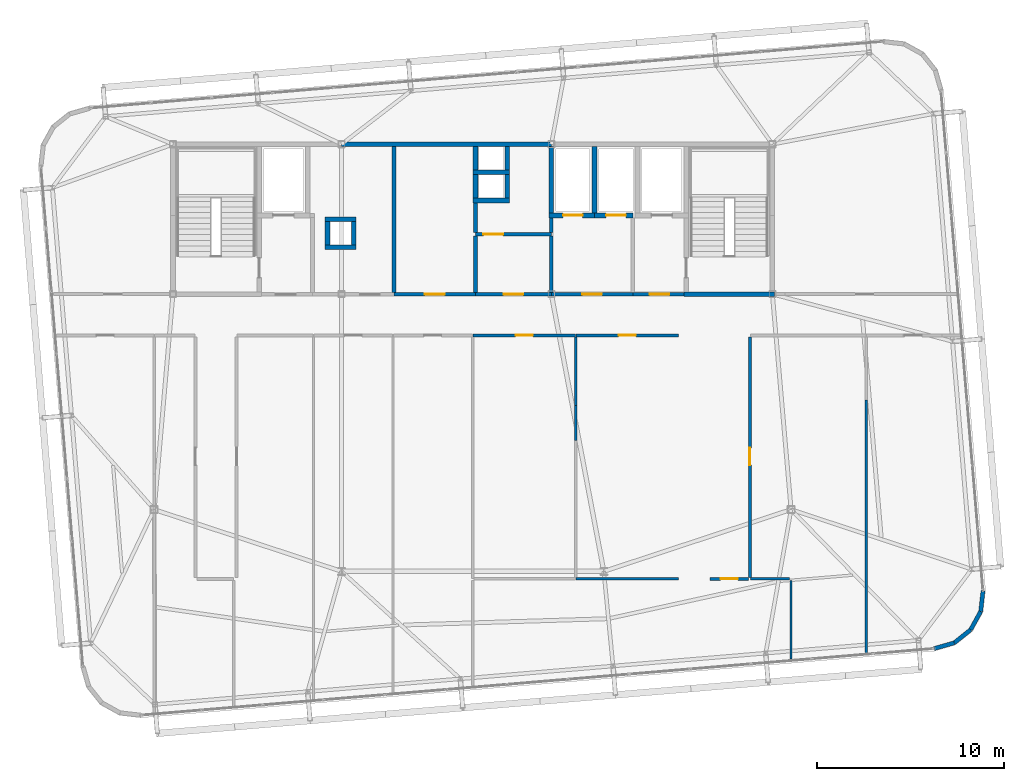
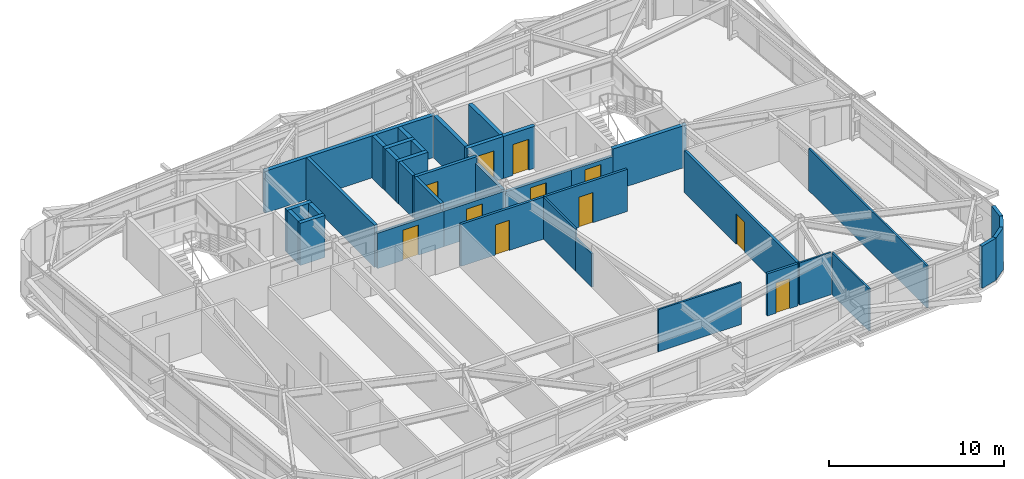
# One storey, part 43 of 46: 40 walls, 11 doors, 11 openings.
"""IFC4 building model written with IfcOpenShell, lengths in metres."""

from ifc_helpers import new_model, si_unit, direction, frame, frame_2d, origin, place, context, subcontext, project, spatial, rectangle, extrude, source, transform, mapped, material, layer, layer_set, type_object, element, fill, save


model = new_model("IFC4")

# Units and contexts
model_context = context("Model", 3, precision=1e-05, world=origin(), true_north=direction((0.0, 1.0)))
body_context = subcontext(model_context, "Body", "Model", "MODEL_VIEW")
ifc_project = project(units=[si_unit("LENGTHUNIT", "METRE"), si_unit("AREAUNIT", "SQUARE_METRE"), si_unit("VOLUMEUNIT", "CUBIC_METRE"), si_unit("PLANEANGLEUNIT", "RADIAN"), si_unit("MASSUNIT", "GRAM", prefix="KILO")], contexts=[model_context])

# Site, building, storey
site_placement = place(None, origin())
site = spatial("IfcSite", under=ifc_project, at=site_placement, CompositionType="ELEMENT")
building_placement = place(site_placement, origin())
building = spatial("IfcBuilding", under=site, at=building_placement, Name="Taldren Reach Tower", CompositionType="ELEMENT")
storey_placement = place(building_placement, frame((0.0, 0.0, 194.60009765625)))
storey = spatial("IfcBuildingStorey", under=building, at=storey_placement, Name="L59", CompositionType="ELEMENT", Elevation=194.60009765625)

# Walls
ifc_material_1 = material(Name="Pale Champagne Anodised Aluminium Cladding", Category="aluminium")
ifc_layer_1 = layer(ifc_material_1, 0.04, Name="Pale Champagne Anodised Aluminium Cladding", Category="aluminium")
ifc_material_2 = material(Name="Mineral Wool Acoustic Insulation", Category="insulation")
ifc_layer_2 = layer(ifc_material_2, 0.06, Name="Mineral Wool Acoustic Insulation", Category="insulation")
ifc_material_3 = material(Name="Steel Gr 350 (C350L0)", Category="steel")
ifc_layer_3 = layer(ifc_material_3, 0.12, Name="Steel Gr 350 (C350L0)", Category="steel")
ifc_layer_set_1 = layer_set([ifc_layer_1, ifc_layer_2, ifc_layer_3], Name="Pale Champagne Aluminium Cladding and Steel Gr 350 Stud Framing")
wall_type_1 = type_object("IfcWallType", Name="EW-CRN-220", PredefinedType="SOLIDWALL", material=ifc_layer_set_1)
shared_shape_1 = source(origin(), body_context, "Body", "SweptSolid", [
    extrude(rectangle(XDim=1.115966796875, YDim=0.219970703125, at=frame_2d((0.55810546875, 0.0))), origin(), (0.0, 0.0, 1.0), 2.929931640625),
])
for number, where, z_axis, x_axis, name in (
    (1, (59.635986328125, 5.0751953125, 0.0), (0.0, 0.0, 1.0), (0.961010464297, 0.276512002475, 0.0), "Rounded-corner pale-metal facade wall L59-SE1"),
    (2, (60.70849609375, 5.3837890625, 0.0), (0.0, 0.0, 1.0), (0.782147847222, 0.623092886403, 0.0), "Rounded-corner pale-metal facade wall L59-SE2"),
    (3, (61.581298828125, 6.0791015625, 0.0), (0.0, 0.0, 1.0), (0.483933071672, 0.875105012065, 0.0), "Rounded-corner pale-metal facade wall L59-SE3"),
    (4, (62.121337890625, 7.0556640625, 0.0), (0.0, 0.0, 1.0), (0.112448259968, 0.993657581277, 0.0), "Rounded-corner pale-metal facade wall L59-SE4"),
):
    element("IfcWall", number, at=place(storey_placement, frame(where, z_axis=z_axis, x_axis=x_axis)), inside=storey, type_object=wall_type_1, Name=name, PredefinedType="SOLIDWALL", context=body_context, shape_type="MappedRepresentation", body=[
        mapped(shared_shape_1, transform((0.0, 0.0, 0.0), scale=1.0)),
    ])

# Wall, opening, door
ifc_material_4 = material(Name="Concrete S50 (50 MPa)", Category="concrete")
ifc_layer_4 = layer(ifc_material_4, 0.199951171875)
ifc_layer_set_2 = layer_set([ifc_layer_4], Name="Concrete S50 (50 MPa)")
wall_type_2 = type_object("IfcWallType", Name="IW-CORE-200", PredefinedType="SOLIDWALL", material=ifc_layer_set_2)
shared_shape_2 = source(origin(), body_context, "Body", "SweptSolid", [
    extrude(rectangle(XDim=4.35009765625, YDim=0.199951171875, at=frame_2d((2.175048828125, 0.0))), origin(), (0.0, 0.0, 1.0), 2.39697265625),
])
wall_1_placement = place(storey_placement, frame((43.550048828125, 24.0, 0.0), z_axis=(0.0, 0.0, 1.0), x_axis=(-1.0, 0.0, 0.0)))
wall_1 = element("IfcWall", 5, at=wall_1_placement, inside=storey, type_object=wall_type_2, Name="Rear Core Shear Wall W-INT-L59-031", PredefinedType="SOLIDWALL", context=body_context, shape_type="MappedRepresentation", body=[
    mapped(shared_shape_2, transform((0.0, 0.0, 0.0), scale=1.0)),
])
shared_shape_3 = source(origin(), body_context, "Body", "SweptSolid", [
    extrude(rectangle(XDim=1.050048828125, YDim=2.10009765625, at=frame_2d((0.52490234375, 1.050048828125))), frame((0.0, 0.10986328125, 0.0), z_axis=(0.0, -1.0, 0.0), x_axis=(1.0, 0.0, 0.0)), (0.0, 0.0, 1.0), 0.219970703125),
])
opening_1_placement = place(wall_1_placement, frame((1.64990234375, 0.0, 0.0)))
opening_1 = element("IfcOpeningElement", 6, at=opening_1_placement, cuts=wall_1, Name="Opening DF-105", PredefinedType="OPENING", context=body_context, shape_type="MappedRepresentation", body=[
    mapped(shared_shape_3, transform((0.0, 0.0, 0.0), scale=1.0)),
])
ifc_material_5 = material(Name="Fire-Rated Care and Stair Exit Door")
door_type_1 = type_object("IfcDoorType", Name="ID-FIRE-105", OperationType="NOTDEFINED", PredefinedType="DOOR", material=ifc_material_5)
shared_shape_4 = source(origin(), body_context, "Body", "SweptSolid", [
    extrude(rectangle(XDim=1.050048828125, YDim=2.10009765625, at=frame_2d((0.52490234375, 1.050048828125))), frame((0.0, 0.02490234375, 0.0), z_axis=(0.0, -1.0, 0.0), x_axis=(1.0, 0.0, 0.0)), (0.0, 0.0, 1.0), 0.050048828125),
])
door_1_placement = place(opening_1_placement, frame((1.050048828125, 0.0, 0.0), z_axis=(0.0, 0.0, 1.0), x_axis=(-1.0, 0.0, 0.0)))
door_1 = element("IfcDoor", 7, at=door_1_placement, inside=storey, type_object=door_type_1, Name="Interior Door DR-L59-005", OperationType="SINGLE_SWING_LEFT", OverallHeight=2.10009765625, OverallWidth=1.050048828125, PredefinedType="DOOR", context=body_context, shape_type="MappedRepresentation", body=[
    mapped(shared_shape_4, transform((0.0, 0.0, 0.0), scale=1.0)),
])
fill(opening_1, door_1)

ifc_material_6 = material(Name="Fire-Rated Acoustic Plasterboard Stud Wall", Category="gypsum")
ifc_layer_5 = layer(ifc_material_6, 0.159912109375)
ifc_layer_set_3 = layer_set([ifc_layer_5], Name="Fire-Rated Acoustic Plasterboard Stud Wall")
wall_type_3 = type_object("IfcWallType", Name="IW-FIRE-160", PredefinedType="PARTITIONING", material=ifc_layer_set_3)
shared_shape_5 = source(origin(), body_context, "Body", "SweptSolid", [
    extrude(rectangle(XDim=2.0400390625, YDim=0.159912109375, at=frame_2d((1.02001953125, 0.0))), origin(), (0.0, 0.0, 1.0), 2.929931640625),
])
wall_2_placement = place(storey_placement, frame((49.719970703125, 8.800048828125, 0.0), z_axis=(0.0, 0.0, 1.0), x_axis=(-1.0, 0.0, 0.0)))
wall_2 = element("IfcWall", 8, at=wall_2_placement, inside=storey, type_object=wall_type_3, Name="Interior Partition Wall W-INT-L59-039", PredefinedType="PARTITIONING", context=body_context, shape_type="MappedRepresentation", body=[
    mapped(shared_shape_5, transform((0.0, 0.0, 0.0), scale=1.0)),
])
shared_shape_6 = source(origin(), body_context, "Body", "SweptSolid", [
    extrude(rectangle(XDim=0.919921875, YDim=2.10009765625, at=frame_2d((0.4599609375, 1.050048828125))), frame((0.0, 0.08984375, 0.0), z_axis=(0.0, -1.0, 0.0), x_axis=(1.0, 0.0, 0.0)), (0.0, 0.0, 1.0), 0.179931640625),
])
opening_2_placement = place(wall_2_placement, frame((0.56005859375, 0.0, 0.0)))
opening_2 = element("IfcOpeningElement", 9, at=opening_2_placement, cuts=wall_2, Name="Opening DI-092", PredefinedType="OPENING", context=body_context, shape_type="MappedRepresentation", body=[
    mapped(shared_shape_6, transform((0.0, 0.0, 0.0), scale=1.0)),
])
ifc_material_7 = material(Name="Solid-Core Timber Suite Door", Category="wood")
door_type_2 = type_object("IfcDoorType", Name="ID-INT-092", OperationType="NOTDEFINED", PredefinedType="DOOR", material=ifc_material_7)
shared_shape_7 = source(origin(), body_context, "Body", "SweptSolid", [
    extrude(rectangle(XDim=0.919921875, YDim=2.10009765625, at=frame_2d((0.4599609375, 1.050048828125))), frame((0.0, 0.02490234375, 0.0), z_axis=(0.0, -1.0, 0.0), x_axis=(1.0, 0.0, 0.0)), (0.0, 0.0, 1.0), 0.050048828125),
])
door_2_placement = place(opening_2_placement, origin())
door_2 = element("IfcDoor", 10, at=door_2_placement, inside=storey, type_object=door_type_2, Name="Interior Door DR-L59-010", OperationType="SINGLE_SWING_LEFT", OverallHeight=2.10009765625, OverallWidth=0.919921875, PredefinedType="DOOR", context=body_context, shape_type="MappedRepresentation", body=[
    mapped(shared_shape_7, transform((0.0, 0.0, 0.0), scale=1.0)),
])
fill(opening_2, door_2)

shared_shape_8 = source(origin(), body_context, "Body", "SweptSolid", [
    extrude(rectangle(XDim=4.349853515625, YDim=0.199951171875, at=frame_2d((2.1748046875, 0.0))), origin(), (0.0, 0.0, 1.0), 2.469970703125),
])
wall_3_placement = place(storey_placement, frame((35.14990234375, 24.0, 0.0), z_axis=(0.0, 0.0, 1.0), x_axis=(-1.0, 0.0, 0.0)))
wall_3 = element("IfcWall", 11, at=wall_3_placement, inside=storey, type_object=wall_type_2, Name="Rear Core Shear Wall W-INT-L59-036", PredefinedType="SOLIDWALL", context=body_context, shape_type="MappedRepresentation", body=[
    mapped(shared_shape_8, transform((0.0, 0.0, 0.0), scale=1.0)),
])
opening_3_placement = place(wall_3_placement, frame((1.64990234375, 0.0, 0.0)))
opening_3 = element("IfcOpeningElement", 12, at=opening_3_placement, cuts=wall_3, Name="Opening DF-105", PredefinedType="OPENING", context=body_context, shape_type="MappedRepresentation", body=[
    mapped(shared_shape_3, transform((0.0, 0.0, 0.0), scale=1.0)),
])
door_3_placement = place(opening_3_placement, frame((1.050048828125, 0.0, 0.0), z_axis=(0.0, 0.0, 1.0), x_axis=(-1.0, 0.0, 0.0)))
door_3 = element("IfcDoor", 13, at=door_3_placement, inside=storey, type_object=door_type_1, Name="Interior Door DR-L59-007", OperationType="SINGLE_SWING_LEFT", OverallHeight=2.10009765625, OverallWidth=1.050048828125, PredefinedType="DOOR", context=body_context, shape_type="MappedRepresentation", body=[
    mapped(shared_shape_4, transform((0.0, 0.0, 0.0), scale=1.0)),
])
fill(opening_3, door_3)

# Wall
shared_shape_9 = source(origin(), body_context, "Body", "SweptSolid", [
    extrude(rectangle(XDim=3.0, YDim=0.199951171875, at=frame_2d((1.5, 0.0))), origin(), (0.0, 0.0, 1.0), 2.469970703125),
])
wall_4_placement = place(storey_placement, frame((39.199951171875, 24.10009765625, 0.0), z_axis=(0.0, 0.0, 1.0), x_axis=(0.0, 1.0, 0.0)))
element("IfcWall", 14, at=wall_4_placement, inside=storey, type_object=wall_type_2, Name="Rear Core Shear Wall W-INT-L59-029", PredefinedType="SOLIDWALL", context=body_context, shape_type="MappedRepresentation", body=[
    mapped(shared_shape_9, transform((0.0, 0.0, 0.0), scale=1.0)),
])

# Wall, opening, door
shared_shape_10 = source(origin(), body_context, "Body", "SweptSolid", [
    extrude(rectangle(XDim=5.45947265625, YDim=0.159912109375, at=frame_2d((2.729736328125, 0.0))), origin(), (0.0, 0.0, 1.0), 2.929931640625),
])
wall_5_placement = place(storey_placement, frame((40.479736328125, 21.800048828125, 0.0), z_axis=(0.0, 0.0, 1.0), x_axis=(-1.0, 0.0, 0.0)))
wall_5 = element("IfcWall", 15, at=wall_5_placement, inside=storey, type_object=wall_type_3, Name="Interior Partition Wall W-INT-L59-050", PredefinedType="PARTITIONING", context=body_context, shape_type="MappedRepresentation", body=[
    mapped(shared_shape_10, transform((0.0, 0.0, 0.0), scale=1.0)),
])
opening_4_placement = place(wall_5_placement, frame((2.269775390625, 0.0, 0.0)))
opening_4 = element("IfcOpeningElement", 16, at=opening_4_placement, cuts=wall_5, Name="Opening DI-092", PredefinedType="OPENING", context=body_context, shape_type="MappedRepresentation", body=[
    mapped(shared_shape_6, transform((0.0, 0.0, 0.0), scale=1.0)),
])
door_4_placement = place(opening_4_placement, origin())
door_4 = element("IfcDoor", 17, at=door_4_placement, inside=storey, type_object=door_type_2, Name="Interior Door DR-L59-018", OperationType="SINGLE_SWING_LEFT", OverallHeight=2.10009765625, OverallWidth=0.919921875, PredefinedType="DOOR", context=body_context, shape_type="MappedRepresentation", body=[
    mapped(shared_shape_7, transform((0.0, 0.0, 0.0), scale=1.0)),
])
fill(opening_4, door_4)

wall_6_placement = place(storey_placement, frame((45.979736328125, 21.800048828125, 0.0), z_axis=(0.0, 0.0, 1.0), x_axis=(-1.0, 0.0, 0.0)))
wall_6 = element("IfcWall", 18, at=wall_6_placement, inside=storey, type_object=wall_type_3, Name="Interior Partition Wall W-INT-L59-051", PredefinedType="PARTITIONING", context=body_context, shape_type="MappedRepresentation", body=[
    mapped(shared_shape_10, transform((0.0, 0.0, 0.0), scale=1.0)),
])
opening_5_placement = place(wall_6_placement, frame((2.269775390625, 0.0, 0.0)))
opening_5 = element("IfcOpeningElement", 19, at=opening_5_placement, cuts=wall_6, Name="Opening DI-092", PredefinedType="OPENING", context=body_context, shape_type="MappedRepresentation", body=[
    mapped(shared_shape_6, transform((0.0, 0.0, 0.0), scale=1.0)),
])
door_5_placement = place(opening_5_placement, origin())
door_5 = element("IfcDoor", 20, at=door_5_placement, inside=storey, type_object=door_type_2, Name="Interior Door DR-L59-019", OperationType="SINGLE_SWING_RIGHT", OverallHeight=2.10009765625, OverallWidth=0.919921875, PredefinedType="DOOR", context=body_context, shape_type="MappedRepresentation", body=[
    mapped(shared_shape_7, transform((0.0, 0.0, 0.0), scale=1.0)),
])
fill(opening_5, door_5)

# Walls
ifc_material_8 = material(Name="Insulated Residential Stud Partition", Category="gypsum")
ifc_layer_6 = layer(ifc_material_8, 0.1201171875)
ifc_layer_set_4 = layer_set([ifc_layer_6], Name="Insulated Residential Stud Partition")
wall_type_4 = type_object("IfcWallType", Name="IW-PART-120", PredefinedType="PARTITIONING", material=ifc_layer_set_4)
shared_shape_11 = source(origin(), body_context, "Body", "SweptSolid", [
    extrude(rectangle(XDim=1.86083984375, YDim=0.1201171875, at=frame_2d((0.930419921875, 0.0))), origin(), (0.0, 0.0, 1.0), 2.327880859375),
])
wall_7_placement = place(storey_placement, frame((40.5, 18.05908203125, 0.0), z_axis=(0.0, 0.0, 1.0), x_axis=(0.0, -1.0, 0.0)))
element("IfcWall", 21, at=wall_7_placement, inside=storey, type_object=wall_type_4, Name="Interior Partition Wall W-INT-L59-065 part 2", PredefinedType="PARTITIONING", context=body_context, shape_type="MappedRepresentation", body=[
    mapped(shared_shape_11, transform((0.0, 0.0, 0.0), scale=1.0)),
])
ifc_material_9 = material(Name="Concrete S65 (65 MPa)", Category="concrete")
ifc_layer_7 = layer(ifc_material_9, 0.25)
ifc_layer_set_5 = layer_set([ifc_layer_7], Name="Concrete S65 (65 MPa)")
wall_type_5 = type_object("IfcWallType", Name="IW-CORE-250", PredefinedType="SHEAR", material=ifc_layer_set_5)
shared_shape_12 = source(origin(), body_context, "Body", "SweptSolid", [
    extrude(rectangle(XDim=11.199951171875, YDim=0.25, at=frame_2d((5.60009765625, 0.0))), origin(), (0.0, 0.0, 1.0), 2.929931640625),
])
wall_8_placement = place(storey_placement, frame((28.0, 32.0, 0.0), z_axis=(0.0, 0.0, 1.0), x_axis=(1.0, 0.0, 0.0)))
element("IfcWall", 22, at=wall_8_placement, inside=storey, type_object=wall_type_5, Name="Rear Core Shear Wall W-CORE-L59-NORTH2", PredefinedType="SHEAR", context=body_context, shape_type="MappedRepresentation", body=[
    mapped(shared_shape_12, transform((0.0, 0.0, 0.0), scale=1.0)),
])
shared_shape_13 = source(origin(), body_context, "Body", "SweptSolid", [
    extrude(rectangle(XDim=3.550048828125, YDim=0.25, at=frame_2d((1.77490234375, 0.0))), origin(), (0.0, 0.0, 1.0), 2.929931640625),
])
for number, where, z_axis, x_axis, name in (
    (23, (41.5, 28.324951171875, 0.0), (0.0, 0.0, 1.0), (0.0, 1.0, 0.0), "Rear Core Shear Wall W-INT-L59-025"),
    (24, (39.199951171875, 31.875, 0.0), (0.0, 0.0, 1.0), (0.0, -1.0, 0.0), "Rear Core Shear Wall W-INT-L59-027"),
):
    element("IfcWall", number, at=place(storey_placement, frame(where, z_axis=z_axis, x_axis=x_axis)), inside=storey, type_object=wall_type_5, Name=name, PredefinedType="SHEAR", context=body_context, shape_type="MappedRepresentation", body=[
        mapped(shared_shape_13, transform((0.0, 0.0, 0.0), scale=1.0)),
    ])
shared_shape_14 = source(origin(), body_context, "Body", "SweptSolid", [
    extrude(rectangle(XDim=4.85009765625, YDim=0.25, at=frame_2d((2.425048828125, 0.0))), origin(), (0.0, 0.0, 1.0), 2.929931640625),
])
wall_9_placement = place(storey_placement, frame((46.27490234375, 24.0, 0.0), z_axis=(0.0, 0.0, 1.0), x_axis=(1.0, 0.0, 0.0)))
element("IfcWall", 25, at=wall_9_placement, inside=storey, type_object=wall_type_5, Name="Rear Core Shear Wall W-INT-L59-010", PredefinedType="SHEAR", context=body_context, shape_type="MappedRepresentation", body=[
    mapped(shared_shape_14, transform((0.0, 0.0, 0.0), scale=1.0)),
])

# Wall, opening, door
shared_shape_15 = source(origin(), body_context, "Body", "SweptSolid", [
    extrude(rectangle(XDim=2.724853515625, YDim=0.199951171875, at=frame_2d((1.3623046875, 0.0))), origin(), (0.0, 0.0, 1.0), 2.39697265625),
])
wall_10_placement = place(storey_placement, frame((43.550048828125, 24.0, 0.0), z_axis=(0.0, 0.0, 1.0), x_axis=(1.0, 0.0, 0.0)))
wall_10 = element("IfcWall", 26, at=wall_10_placement, inside=storey, type_object=wall_type_2, Name="Rear Core Shear Wall W-INT-L59-014", PredefinedType="SOLIDWALL", context=body_context, shape_type="MappedRepresentation", body=[
    mapped(shared_shape_15, transform((0.0, 0.0, 0.0), scale=1.0)),
])
opening_6_placement = place(wall_10_placement, frame((0.89990234375, 0.0, 0.0)))
opening_6 = element("IfcOpeningElement", 27, at=opening_6_placement, cuts=wall_10, Name="Opening DF-105", PredefinedType="OPENING", context=body_context, shape_type="MappedRepresentation", body=[
    mapped(shared_shape_3, transform((0.0, 0.0, 0.0), scale=1.0)),
])
door_6_placement = place(opening_6_placement, origin())
door_6 = element("IfcDoor", 28, at=door_6_placement, inside=storey, type_object=door_type_1, Name="Interior Door DR-L59-004", OperationType="SINGLE_SWING_LEFT", OverallHeight=2.10009765625, OverallWidth=1.050048828125, PredefinedType="DOOR", context=body_context, shape_type="MappedRepresentation", body=[
    mapped(shared_shape_4, transform((0.0, 0.0, 0.0), scale=1.0)),
])
fill(opening_6, door_6)

# Walls
shared_shape_16 = source(origin(), body_context, "Body", "SweptSolid", [
    extrude(rectangle(XDim=1.9501953125, YDim=0.25, at=frame_2d((0.97509765625, 0.0))), origin(), (0.0, 0.0, 1.0), 2.929931640625),
])
for number, where, z_axis, x_axis, name in (
    (29, (35.02490234375, 30.5, 0.0), (0.0, 0.0, 1.0), (1.0, 0.0, 0.0), "Rear Core Shear Wall W-INT-L59-015"),
    (30, (35.02490234375, 29.0, 0.0), (0.0, 0.0, 1.0), (1.0, 0.0, 0.0), "Rear Core Shear Wall W-INT-L59-019"),
):
    element("IfcWall", number, at=place(storey_placement, frame(where, z_axis=z_axis, x_axis=x_axis)), inside=storey, type_object=wall_type_5, Name=name, PredefinedType="SHEAR", context=body_context, shape_type="MappedRepresentation", body=[
        mapped(shared_shape_16, transform((0.0, 0.0, 0.0), scale=1.0)),
    ])
shared_shape_17 = source(origin(), body_context, "Body", "SweptSolid", [
    extrude(rectangle(XDim=1.25, YDim=0.25, at=frame_2d((0.625, 0.0))), origin(), (0.0, 0.0, 1.0), 2.929931640625),
])
for number, where, z_axis, x_axis, name in (
    (31, (35.14990234375, 31.875, 0.0), (0.0, 0.0, 1.0), (0.0, -1.0, 0.0), "Rear Core Shear Wall W-INT-L59-016"),
    (32, (36.85009765625, 30.625, 0.0), (0.0, 0.0, 1.0), (0.0, 1.0, 0.0), "Rear Core Shear Wall W-INT-L59-017"),
    (33, (35.14990234375, 30.375, 0.0), (0.0, 0.0, 1.0), (0.0, -1.0, 0.0), "Rear Core Shear Wall W-INT-L59-018"),
    (34, (36.85009765625, 29.125, 0.0), (0.0, 0.0, 1.0), (0.0, 1.0, 0.0), "Rear Core Shear Wall W-INT-L59-020"),
    (35, (28.64990234375, 26.625, 0.0), (0.0, 0.0, 1.0), (0.0, 1.0, 0.0), "Rear Core Shear Wall W-INT-L59-021"),
    (36, (27.25, 27.875, 0.0), (0.0, 0.0, 1.0), (0.0, -1.0, 0.0), "Rear Core Shear Wall W-INT-L59-022"),
):
    element("IfcWall", number, at=place(storey_placement, frame(where, z_axis=z_axis, x_axis=x_axis)), inside=storey, type_object=wall_type_5, Name=name, PredefinedType="SHEAR", context=body_context, shape_type="MappedRepresentation", body=[
        mapped(shared_shape_17, transform((0.0, 0.0, 0.0), scale=1.0)),
    ])
shared_shape_18 = source(origin(), body_context, "Body", "SweptSolid", [
    extrude(rectangle(XDim=1.64990234375, YDim=0.25, at=frame_2d((0.824951171875, 0.0))), origin(), (0.0, 0.0, 1.0), 2.929931640625),
])
for number, where, z_axis, x_axis, name in (
    (37, (28.77490234375, 28.0, 0.0), (0.0, 0.0, 1.0), (-1.0, 0.0, 0.0), "Rear Core Shear Wall W-INT-L59-023"),
    (38, (27.125, 26.5, 0.0), (0.0, 0.0, 1.0), (1.0, 0.0, 0.0), "Rear Core Shear Wall W-INT-L59-024"),
):
    element("IfcWall", number, at=place(storey_placement, frame(where, z_axis=z_axis, x_axis=x_axis)), inside=storey, type_object=wall_type_5, Name=name, PredefinedType="SHEAR", context=body_context, shape_type="MappedRepresentation", body=[
        mapped(shared_shape_18, transform((0.0, 0.0, 0.0), scale=1.0)),
    ])

# Wall, opening, door
shared_shape_19 = source(origin(), body_context, "Body", "SweptSolid", [
    extrude(rectangle(XDim=2.425048828125, YDim=0.25, at=frame_2d((1.21240234375, 0.0))), origin(), (0.0, 0.0, 1.0), 2.929931640625),
])
wall_11_placement = place(storey_placement, frame((39.074951171875, 28.199951171875, 0.0), z_axis=(0.0, 0.0, 1.0), x_axis=(1.0, 0.0, 0.0)))
wall_11 = element("IfcWall", 39, at=wall_11_placement, inside=storey, type_object=wall_type_5, Name="Rear Core Shear Wall W-INT-L59-026", PredefinedType="SHEAR", context=body_context, shape_type="MappedRepresentation", body=[
    mapped(shared_shape_19, transform((0.0, 0.0, 0.0), scale=1.0)),
])
shared_shape_20 = source(origin(), body_context, "Body", "SweptSolid", [
    extrude(rectangle(XDim=1.050048828125, YDim=2.14990234375, at=frame_2d((0.52490234375, 1.074951171875))), frame((0.0, 0.135009765625, 0.0), z_axis=(0.0, -1.0, 0.0), x_axis=(1.0, 0.0, 0.0)), (0.0, 0.0, 1.0), 0.27001953125),
])
opening_7_placement = place(wall_11_placement, frame((0.75, 0.0, 0.0)))
opening_7 = element("IfcOpeningElement", 40, at=opening_7_placement, cuts=wall_11, Name="Opening LD-PH1", PredefinedType="OPENING", context=body_context, shape_type="MappedRepresentation", body=[
    mapped(shared_shape_20, transform((0.0, 0.0, 0.0), scale=1.0)),
])
ifc_material_10 = material(Name="Stainless Steel Gr 316 Passenger Lift Landing Door", Category="steel")
door_type_3 = type_object("IfcDoorType", Name="LD-PAS-105", OperationType="SLIDING_TO_LEFT", PredefinedType="DOOR", material=ifc_material_10)
shared_shape_21 = source(origin(), body_context, "Body", "SweptSolid", [
    extrude(rectangle(XDim=1.050048828125, YDim=2.14990234375, at=frame_2d((0.52490234375, 1.074951171875))), frame((0.0, 0.02490234375, 0.0), z_axis=(0.0, -1.0, 0.0), x_axis=(1.0, 0.0, 0.0)), (0.0, 0.0, 1.0), 0.050048828125),
])
door_7_placement = place(opening_7_placement, origin())
door_7 = element("IfcDoor", 41, at=door_7_placement, inside=storey, type_object=door_type_3, Name="Lift Landing Door LD-PH1-L59", OperationType="SLIDING_TO_LEFT", OverallHeight=2.14990234375, OverallWidth=1.050048828125, PredefinedType="DOOR", context=body_context, shape_type="MappedRepresentation", body=[
    mapped(shared_shape_21, transform((0.0, 0.0, 0.0), scale=1.0)),
])
fill(opening_7, door_7)

shared_shape_22 = source(origin(), body_context, "Body", "SweptSolid", [
    extrude(rectangle(XDim=2.070068359375, YDim=0.25, at=frame_2d((1.03515625, 0.0))), origin(), (0.0, 0.0, 1.0), 2.929931640625),
])
wall_12_placement = place(storey_placement, frame((41.5, 28.199951171875, 0.0), z_axis=(0.0, 0.0, 1.0), x_axis=(1.0, 0.0, 0.0)))
wall_12 = element("IfcWall", 42, at=wall_12_placement, inside=storey, type_object=wall_type_5, Name="Rear Core Shear Wall W-INT-L59-028", PredefinedType="SHEAR", context=body_context, shape_type="MappedRepresentation", body=[
    mapped(shared_shape_22, transform((0.0, 0.0, 0.0), scale=1.0)),
])
opening_8_placement = place(wall_12_placement, frame((0.625, 0.0, 0.0)))
opening_8 = element("IfcOpeningElement", 43, at=opening_8_placement, cuts=wall_12, Name="Opening LD-PH2", PredefinedType="OPENING", context=body_context, shape_type="MappedRepresentation", body=[
    mapped(shared_shape_20, transform((0.0, 0.0, 0.0), scale=1.0)),
])
door_8_placement = place(opening_8_placement, origin())
door_8 = element("IfcDoor", 44, at=door_8_placement, inside=storey, type_object=door_type_3, Name="Lift Landing Door LD-PH2-L59", OperationType="SLIDING_TO_LEFT", OverallHeight=2.14990234375, OverallWidth=1.050048828125, PredefinedType="DOOR", context=body_context, shape_type="MappedRepresentation", body=[
    mapped(shared_shape_21, transform((0.0, 0.0, 0.0), scale=1.0)),
])
fill(opening_8, door_8)

# Walls
shared_shape_23 = source(origin(), body_context, "Body", "SweptSolid", [
    extrude(rectangle(XDim=0.77490234375, YDim=0.199951171875, at=frame_2d((0.387451171875, 0.0))), origin(), (0.0, 0.0, 1.0), 2.469970703125),
])
wall_13_placement = place(storey_placement, frame((39.199951171875, 27.300048828125, 0.0), z_axis=(0.0, 0.0, 1.0), x_axis=(0.0, 1.0, 0.0)))
element("IfcWall", 45, at=wall_13_placement, inside=storey, type_object=wall_type_2, Name="Rear Core Shear Wall W-INT-L59-030", PredefinedType="SOLIDWALL", context=body_context, shape_type="MappedRepresentation", body=[
    mapped(shared_shape_23, transform((0.0, 0.0, 0.0), scale=1.0)),
])
shared_shape_24 = source(origin(), body_context, "Body", "SweptSolid", [
    extrude(rectangle(XDim=7.77490234375, YDim=0.199951171875, at=frame_2d((3.887451171875, 0.0))), origin(), (0.0, 0.0, 1.0), 2.929931640625),
])
wall_14_placement = place(storey_placement, frame((30.800048828125, 31.875, 0.0), z_axis=(0.0, 0.0, 1.0), x_axis=(0.0, -1.0, 0.0)))
element("IfcWall", 46, at=wall_14_placement, inside=storey, type_object=wall_type_2, Name="Rear Core Shear Wall W-INT-L59-032", PredefinedType="SOLIDWALL", context=body_context, shape_type="MappedRepresentation", body=[
    mapped(shared_shape_24, transform((0.0, 0.0, 0.0), scale=1.0)),
])
shared_shape_25 = source(origin(), body_context, "Body", "SweptSolid", [
    extrude(rectangle(XDim=3.0, YDim=0.199951171875, at=frame_2d((1.5, 0.0))), origin(), (0.0, 0.0, 1.0), 2.929931640625),
])
wall_15_placement = place(storey_placement, frame((35.14990234375, 27.10009765625, 0.0), z_axis=(0.0, 0.0, 1.0), x_axis=(0.0, -1.0, 0.0)))
element("IfcWall", 47, at=wall_15_placement, inside=storey, type_object=wall_type_2, Name="Rear Core Shear Wall W-INT-L59-034", PredefinedType="SOLIDWALL", context=body_context, shape_type="MappedRepresentation", body=[
    mapped(shared_shape_25, transform((0.0, 0.0, 0.0), scale=1.0)),
])
shared_shape_26 = source(origin(), body_context, "Body", "SweptSolid", [
    extrude(rectangle(XDim=1.574951171875, YDim=0.199951171875, at=frame_2d((0.78759765625, 0.0))), origin(), (0.0, 0.0, 1.0), 2.929931640625),
])
wall_16_placement = place(storey_placement, frame((35.14990234375, 28.875, 0.0), z_axis=(0.0, 0.0, 1.0), x_axis=(0.0, -1.0, 0.0)))
element("IfcWall", 48, at=wall_16_placement, inside=storey, type_object=wall_type_2, Name="Rear Core Shear Wall W-INT-L59-035", PredefinedType="SOLIDWALL", context=body_context, shape_type="MappedRepresentation", body=[
    mapped(shared_shape_26, transform((0.0, 0.0, 0.0), scale=1.0)),
])

# Wall, opening, door
shared_shape_27 = source(origin(), body_context, "Body", "SweptSolid", [
    extrude(rectangle(XDim=4.050048828125, YDim=0.199951171875, at=frame_2d((2.02490234375, 0.0))), origin(), (0.0, 0.0, 1.0), 2.929931640625),
])
wall_17_placement = place(storey_placement, frame((35.14990234375, 27.199951171875, 0.0), z_axis=(0.0, 0.0, 1.0), x_axis=(1.0, 0.0, 0.0)))
wall_17 = element("IfcWall", 49, at=wall_17_placement, inside=storey, type_object=wall_type_2, Name="Rear Core Shear Wall W-INT-L59-037", PredefinedType="SOLIDWALL", context=body_context, shape_type="MappedRepresentation", body=[
    mapped(shared_shape_27, transform((0.0, 0.0, 0.0), scale=1.0)),
])
opening_9_placement = place(wall_17_placement, frame((0.419921875, 0.0, 0.0)))
opening_9 = element("IfcOpeningElement", 50, at=opening_9_placement, cuts=wall_17, Name="Opening DF-105", PredefinedType="OPENING", context=body_context, shape_type="MappedRepresentation", body=[
    mapped(shared_shape_3, transform((0.0, 0.0, 0.0), scale=1.0)),
])
door_9_placement = place(opening_9_placement, origin())
door_9 = element("IfcDoor", 51, at=door_9_placement, inside=storey, type_object=door_type_1, Name="Interior Door DR-L59-008", OperationType="SINGLE_SWING_LEFT", OverallHeight=2.10009765625, OverallWidth=1.050048828125, PredefinedType="DOOR", context=body_context, shape_type="MappedRepresentation", body=[
    mapped(shared_shape_4, transform((0.0, 0.0, 0.0), scale=1.0)),
])
fill(opening_9, door_9)

shared_shape_28 = source(origin(), body_context, "Body", "SweptSolid", [
    extrude(rectangle(XDim=4.050048828125, YDim=0.199951171875, at=frame_2d((2.02490234375, 0.0))), origin(), (0.0, 0.0, 1.0), 2.469970703125),
])
wall_18_placement = place(storey_placement, frame((39.199951171875, 24.0, 0.0), z_axis=(0.0, 0.0, 1.0), x_axis=(-1.0, 0.0, 0.0)))
wall_18 = element("IfcWall", 52, at=wall_18_placement, inside=storey, type_object=wall_type_2, Name="Rear Core Shear Wall W-INT-L59-038", PredefinedType="SOLIDWALL", context=body_context, shape_type="MappedRepresentation", body=[
    mapped(shared_shape_28, transform((0.0, 0.0, 0.0), scale=1.0)),
])
opening_10_placement = place(wall_18_placement, frame((1.5, 0.0, 0.0)))
opening_10 = element("IfcOpeningElement", 53, at=opening_10_placement, cuts=wall_18, Name="Opening DF-105", PredefinedType="OPENING", context=body_context, shape_type="MappedRepresentation", body=[
    mapped(shared_shape_3, transform((0.0, 0.0, 0.0), scale=1.0)),
])
door_10_placement = place(opening_10_placement, frame((1.050048828125, 0.0, 0.0), z_axis=(0.0, 0.0, 1.0), x_axis=(-1.0, 0.0, 0.0)))
door_10 = element("IfcDoor", 54, at=door_10_placement, inside=storey, type_object=door_type_1, Name="Interior Door DR-L59-009", OperationType="SINGLE_SWING_LEFT", OverallHeight=2.10009765625, OverallWidth=1.050048828125, PredefinedType="DOOR", context=body_context, shape_type="MappedRepresentation", body=[
    mapped(shared_shape_4, transform((0.0, 0.0, 0.0), scale=1.0)),
])
fill(opening_10, door_10)

shared_shape_29 = source(origin(), body_context, "Body", "SweptSolid", [
    extrude(rectangle(XDim=12.840087890625, YDim=0.159912109375, at=frame_2d((6.419921875, 0.0))), origin(), (0.0, 0.0, 1.0), 2.929931640625),
])
wall_19_placement = place(storey_placement, frame((49.800048828125, 21.719970703125, 0.0), z_axis=(0.0, 0.0, 1.0), x_axis=(0.0, -1.0, 0.0)))
wall_19 = element("IfcWall", 55, at=wall_19_placement, inside=storey, type_object=wall_type_3, Name="Interior Partition Wall W-INT-L59-052", PredefinedType="PARTITIONING", context=body_context, shape_type="MappedRepresentation", body=[
    mapped(shared_shape_29, transform((0.0, 0.0, 0.0), scale=1.0)),
])
opening_11_placement = place(wall_19_placement, frame((5.93017578125, 0.0, 0.0)))
opening_11 = element("IfcOpeningElement", 56, at=opening_11_placement, cuts=wall_19, Name="Opening DI-092", PredefinedType="OPENING", context=body_context, shape_type="MappedRepresentation", body=[
    mapped(shared_shape_6, transform((0.0, 0.0, 0.0), scale=1.0)),
])
door_11_placement = place(opening_11_placement, origin())
door_11 = element("IfcDoor", 57, at=door_11_placement, inside=storey, type_object=door_type_2, Name="Interior Door DR-L59-020", OperationType="SINGLE_SWING_LEFT", OverallHeight=2.10009765625, OverallWidth=0.919921875, PredefinedType="DOOR", context=body_context, shape_type="MappedRepresentation", body=[
    mapped(shared_shape_7, transform((0.0, 0.0, 0.0), scale=1.0)),
])
fill(opening_11, door_11)

# Walls
shared_shape_30 = source(origin(), body_context, "Body", "SweptSolid", [
    extrude(rectangle(XDim=2.099609375, YDim=0.1201171875, at=frame_2d((1.0498046875, 0.0))), origin(), (0.0, 0.0, 1.0), 2.929931640625),
])
wall_20_placement = place(storey_placement, frame((49.8203125, 8.800048828125, 0.0), z_axis=(0.0, 0.0, 1.0), x_axis=(1.0, 0.0, 0.0)))
element("IfcWall", 58, at=wall_20_placement, inside=storey, type_object=wall_type_4, Name="Interior Partition Wall W-INT-L59-059", PredefinedType="PARTITIONING", context=body_context, shape_type="MappedRepresentation", body=[
    mapped(shared_shape_30, transform((0.0, 0.0, 0.0), scale=1.0)),
])
shared_shape_31 = source(origin(), body_context, "Body", "SweptSolid", [
    extrude(rectangle(XDim=5.45947265625, YDim=0.1201171875, at=frame_2d((2.729736328125, 0.0))), origin(), (0.0, 0.0, 1.0), 2.929931640625),
])
wall_21_placement = place(storey_placement, frame((40.520263671875, 8.800048828125, 0.0), z_axis=(0.0, 0.0, 1.0), x_axis=(1.0, 0.0, 0.0)))
element("IfcWall", 59, at=wall_21_placement, inside=storey, type_object=wall_type_4, Name="Interior Partition Wall W-INT-L59-057", PredefinedType="PARTITIONING", context=body_context, shape_type="MappedRepresentation", body=[
    mapped(shared_shape_31, transform((0.0, 0.0, 0.0), scale=1.0)),
])
shared_shape_32 = source(origin(), body_context, "Body", "SweptSolid", [
    extrude(rectangle(XDim=4.202392578125, YDim=0.1201171875, at=frame_2d((2.10107421875, 0.0))), origin(), (0.0, 0.0, 1.0), 2.929931640625),
])
wall_22_placement = place(storey_placement, frame((52.0, 8.719970703125, 0.0), z_axis=(0.0, 0.0, 1.0), x_axis=(0.0, -1.0, 0.0)))
element("IfcWall", 60, at=wall_22_placement, inside=storey, type_object=wall_type_4, Name="Interior Partition Wall W-INT-L59-058", PredefinedType="PARTITIONING", context=body_context, shape_type="MappedRepresentation", body=[
    mapped(shared_shape_32, transform((0.0, 0.0, 0.0), scale=1.0)),
])
shared_shape_33 = source(origin(), body_context, "Body", "SweptSolid", [
    extrude(rectangle(XDim=3.660888671875, YDim=0.1201171875, at=frame_2d((1.83056640625, 0.0))), origin(), (0.0, 0.0, 1.0), 2.929931640625),
])
wall_23_placement = place(storey_placement, frame((40.5, 21.719970703125, 0.0), z_axis=(0.0, 0.0, 1.0), x_axis=(0.0, -1.0, 0.0)))
element("IfcWall", 61, at=wall_23_placement, inside=storey, type_object=wall_type_4, Name="Interior Partition Wall W-INT-L59-065", PredefinedType="PARTITIONING", context=body_context, shape_type="MappedRepresentation", body=[
    mapped(shared_shape_33, transform((0.0, 0.0, 0.0), scale=1.0)),
])
shared_shape_34 = source(origin(), body_context, "Body", "SweptSolid", [
    extrude(rectangle(XDim=13.505859375, YDim=0.1201171875, at=frame_2d((6.7529296875, 0.0))), origin(), (0.0, 0.0, 1.0), 2.929931640625),
])
wall_24_placement = place(storey_placement, frame((56.017578125, 18.36083984375, 0.0), z_axis=(0.0, 0.0, 1.0), x_axis=(0.0, -1.0, 0.0)))
element("IfcWall", 62, at=wall_24_placement, inside=storey, type_object=wall_type_4, Name="Interior Partition Wall W-INT-L59-066 part 2", PredefinedType="PARTITIONING", context=body_context, shape_type="MappedRepresentation", body=[
    mapped(shared_shape_34, transform((0.0, 0.0, 0.0), scale=1.0)),
])

save(model, "model.ifc")
